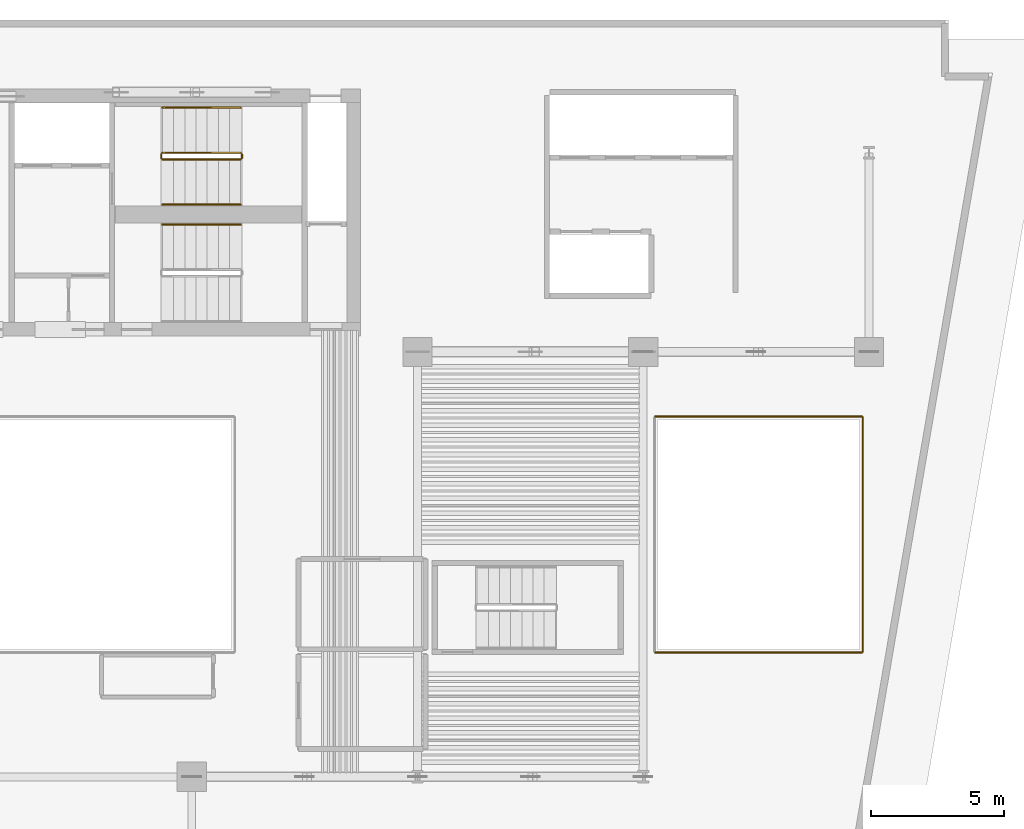
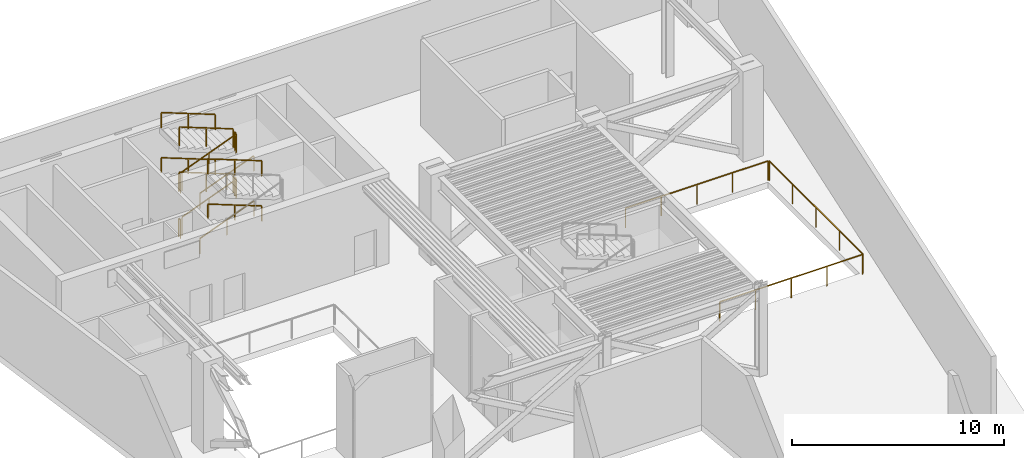
# One storey, part 8 of 8: 17 railings.
"""IFC4 building model written with IfcOpenShell, lengths in metres."""

from ifc_helpers import new_model, si_unit, direction, frame, origin, origin_2d, place, context, subcontext, project, spatial, rectangle, extrude, material, layer, layer_set, type_object, element, save


model = new_model("IFC4")

# Units and contexts
model_context = context("Model", 3, precision=1e-05, world=origin(), true_north=direction((0.0, 1.0)))
body_context = subcontext(model_context, "Body", "Model", "MODEL_VIEW")
ifc_project = project(units=[si_unit("LENGTHUNIT", "METRE"), si_unit("AREAUNIT", "SQUARE_METRE"), si_unit("VOLUMEUNIT", "CUBIC_METRE"), si_unit("PLANEANGLEUNIT", "RADIAN"), si_unit("MASSUNIT", "GRAM", prefix="KILO")], contexts=[model_context])

# Site, building, storey
site_placement = place(None, origin())
site = spatial("IfcSite", under=ifc_project, at=site_placement, CompositionType="ELEMENT")
building_placement = place(site_placement, origin())
building = spatial("IfcBuilding", under=site, at=building_placement, Name="Caeloran Harvest Quay", CompositionType="ELEMENT")
storey_placement = place(building_placement, frame((0.0, 0.0, 178.550048828125)))
storey = spatial("IfcBuildingStorey", under=building, at=storey_placement, Name="L42", CompositionType="ELEMENT", Elevation=178.550048828125)

# Railings
ifc_material_1 = material(Name="Powder-Coated Steel Post and Laminated Glass Guardrail", Category="steel")
ifc_layer_1 = layer(ifc_material_1, 0.06005859375, Name="Powder-Coated Steel Post and Laminated Glass Guardrail")
ifc_layer_set_1 = layer_set([ifc_layer_1], Name="Powder-Coated Steel Post and Laminated Glass Guardrail")
railing_type_1 = type_object("IfcRailingType", Name="GUARD-ATRIUM-1150", PredefinedType="GUARDRAIL", material=ifc_layer_set_1)
railing_1_placement = place(storey_placement, frame((34.4619140625, 19.679931640625, 0.0)))
element("IfcRailing", 1, at=railing_1_placement, inside=storey, type_object=railing_type_1, Name="L42 East Botanical Lightwell Guardrail Seg 1", PredefinedType="GUARDRAIL", context=body_context, shape_type="SweptSolid", body=[
    extrude(rectangle(XDim=0.048095703125, YDim=0.048095703125, at=origin_2d()), frame((0.0, 0.0, 1.1259765625), z_axis=(1.0, 0.0, 0.0), x_axis=(0.0, 1.0, 0.0)), (0.0, 0.0, 1.0), 7.776123046875),
    extrude(rectangle(XDim=0.0419921875, YDim=0.0419921875, at=origin_2d()), origin(), (0.0, 0.0, 1.0), 1.101806640625),
    extrude(rectangle(XDim=0.0419921875, YDim=0.0419921875, at=origin_2d()), frame((1.944091796875, 0.0, 0.0)), (0.0, 0.0, 1.0), 1.101806640625),
    extrude(rectangle(XDim=0.0419921875, YDim=0.0419921875, at=origin_2d()), frame((3.88818359375, 0.0, 0.0)), (0.0, 0.0, 1.0), 1.101806640625),
    extrude(rectangle(XDim=0.0419921875, YDim=0.0419921875, at=origin_2d()), frame((5.83203125, 0.0, 0.0)), (0.0, 0.0, 1.0), 1.101806640625),
    extrude(rectangle(XDim=0.0419921875, YDim=0.0419921875, at=origin_2d()), frame((7.776123046875, 0.0, 0.0)), (0.0, 0.0, 1.0), 1.101806640625),
])
railing_2_placement = place(storey_placement, frame((42.27001953125, 19.7119140625, 0.0)))
element("IfcRailing", 2, at=railing_2_placement, inside=storey, type_object=railing_type_1, Name="L42 East Botanical Lightwell Guardrail Seg 2", PredefinedType="GUARDRAIL", context=body_context, shape_type="SweptSolid", body=[
    extrude(rectangle(XDim=0.048095703125, YDim=0.048095703125, at=origin_2d()), frame((0.0, 0.0, 1.1259765625), z_axis=(0.0, 1.0, 0.0), x_axis=(-1.0, 0.0, 0.0)), (0.0, 0.0, 1.0), 8.826171875),
    extrude(rectangle(XDim=0.0419921875, YDim=0.0419921875, at=origin_2d()), origin(), (0.0, 0.0, 1.0), 1.101806640625),
    extrude(rectangle(XDim=0.0419921875, YDim=0.0419921875, at=origin_2d()), frame((0.0, 2.20654296875, 0.0)), (0.0, 0.0, 1.0), 1.101806640625),
    extrude(rectangle(XDim=0.0419921875, YDim=0.0419921875, at=origin_2d()), frame((0.0, 4.4130859375, 0.0)), (0.0, 0.0, 1.0), 1.101806640625),
    extrude(rectangle(XDim=0.0419921875, YDim=0.0419921875, at=origin_2d()), frame((0.0, 6.61962890625, 0.0)), (0.0, 0.0, 1.0), 1.101806640625),
    extrude(rectangle(XDim=0.0419921875, YDim=0.0419921875, at=origin_2d()), frame((0.0, 8.826171875, 0.0)), (0.0, 0.0, 1.0), 1.101806640625),
])
railing_3_placement = place(storey_placement, frame((42.238037109375, 28.570068359375, 0.0)))
element("IfcRailing", 3, at=railing_3_placement, inside=storey, type_object=railing_type_1, Name="L42 East Botanical Lightwell Guardrail Seg 3", PredefinedType="GUARDRAIL", context=body_context, shape_type="SweptSolid", body=[
    extrude(rectangle(XDim=0.048095703125, YDim=0.048095703125, at=origin_2d()), frame((0.0, 0.0, 1.1259765625), z_axis=(-1.0, 0.0, 0.0), x_axis=(0.0, -1.0, 0.0)), (0.0, 0.0, 1.0), 7.776123046875),
    extrude(rectangle(XDim=0.0419921875, YDim=0.0419921875, at=origin_2d()), origin(), (0.0, 0.0, 1.0), 1.101806640625),
    extrude(rectangle(XDim=0.0419921875, YDim=0.0419921875, at=origin_2d()), frame((-1.944091796875, 0.0, 0.0)), (0.0, 0.0, 1.0), 1.101806640625),
    extrude(rectangle(XDim=0.0419921875, YDim=0.0419921875, at=origin_2d()), frame((-3.88818359375, 0.0, 0.0)), (0.0, 0.0, 1.0), 1.101806640625),
    extrude(rectangle(XDim=0.0419921875, YDim=0.0419921875, at=origin_2d()), frame((-5.83203125, 0.0, 0.0)), (0.0, 0.0, 1.0), 1.101806640625),
    extrude(rectangle(XDim=0.0419921875, YDim=0.0419921875, at=origin_2d()), frame((-7.776123046875, 0.0, 0.0)), (0.0, 0.0, 1.0), 1.101806640625),
])
ifc_material_2 = material(Name="Painted Steel Baluster and Top-Rail Stair Guard", Category="steel")
ifc_layer_2 = layer(ifc_material_2, 0.050048828125, Name="Painted Steel Baluster and Top-Rail Stair Guard")
ifc_layer_set_2 = layer_set([ifc_layer_2], Name="Painted Steel Baluster and Top-Rail Stair Guard")
railing_type_2 = type_object("IfcRailingType", Name="STAIR-GUARD-1100", PredefinedType="GUARDRAIL", material=ifc_layer_set_2)
railing_4_placement = place(storey_placement, frame((15.89990234375, 38.25, 0.162353515625)))
element("IfcRailing", 4, at=railing_4_placement, inside=storey, type_object=railing_type_2, Name="L42 ST-C1 stair guard 1", PredefinedType="GUARDRAIL", context=body_context, shape_type="SweptSolid", body=[
    extrude(rectangle(XDim=0.048095703125, YDim=0.048095703125, at=origin_2d()), frame((0.0, 0.0, 1.076171875), z_axis=(0.932615185337, 0.0, 0.360872437405), x_axis=(0.0, 1.0, 0.0)), (0.0, 0.0, 1.0), 3.152587890625),
    extrude(rectangle(XDim=0.0419921875, YDim=0.0419921875, at=origin_2d()), origin(), (0.0, 0.0, 1.0), 1.052001953125),
    extrude(rectangle(XDim=0.0419921875, YDim=0.0419921875, at=origin_2d()), frame((1.47021484375, 0.0, 0.56884765625)), (0.0, 0.0, 1.0), 1.052001953125),
    extrude(rectangle(XDim=0.0419921875, YDim=0.0419921875, at=origin_2d()), frame((2.940185546875, 0.0, 1.1376953125)), (0.0, 0.0, 1.0), 1.052001953125),
])
railing_5_placement = place(storey_placement, frame((18.889892578125, 38.300048828125, 1.300048828125)))
element("IfcRailing", 5, at=railing_5_placement, inside=storey, type_object=railing_type_2, Name="L42 ST-C1 stair guard 2", PredefinedType="GUARDRAIL", context=body_context, shape_type="SweptSolid", body=[
    extrude(rectangle(XDim=0.048095703125, YDim=0.048095703125, at=origin_2d()), frame((0.0, 0.0, 1.076171875), z_axis=(0.0, 1.0, 0.0), x_axis=(-1.0, 0.0, 0.0)), (0.0, 0.0, 1.0), 0.14990234375),
    extrude(rectangle(XDim=0.0419921875, YDim=0.0419921875, at=origin_2d()), origin(), (0.0, 0.0, 1.0), 1.052001953125),
    extrude(rectangle(XDim=0.0419921875, YDim=0.0419921875, at=origin_2d()), frame((0.0, 0.14990234375, 0.0)), (0.0, 0.0, 1.0), 1.052001953125),
])
railing_6_placement = place(storey_placement, frame((18.840087890625, 38.5, 1.46240234375)))
element("IfcRailing", 6, at=railing_6_placement, inside=storey, type_object=railing_type_2, Name="L42 ST-C1 stair guard 3", PredefinedType="GUARDRAIL", context=body_context, shape_type="SweptSolid", body=[
    extrude(rectangle(XDim=0.048095703125, YDim=0.048095703125, at=origin_2d()), frame((0.0, 0.0, 1.076171875), z_axis=(-0.932641246608, 0.0, 0.360805079129), x_axis=(0.0, -1.0, 0.0)), (0.0, 0.0, 1.0), 3.152587890625),
    extrude(rectangle(XDim=0.0419921875, YDim=0.0419921875, at=origin_2d()), origin(), (0.0, 0.0, 1.0), 1.052001953125),
    extrude(rectangle(XDim=0.0419921875, YDim=0.0419921875, at=origin_2d()), frame((-1.47021484375, 0.0, 0.56884765625)), (0.0, 0.0, 1.0), 1.052001953125),
    extrude(rectangle(XDim=0.0419921875, YDim=0.0419921875, at=origin_2d()), frame((-2.940185546875, 0.0, 1.137451171875)), (0.0, 0.0, 1.0), 1.052001953125),
])
railing_7_placement = place(storey_placement, frame((15.85009765625, 38.300048828125, 2.599853515625)))
element("IfcRailing", 7, at=railing_7_placement, inside=storey, type_object=railing_type_2, Name="L42 ST-C1 stair guard 4", PredefinedType="GUARDRAIL", context=body_context, shape_type="SweptSolid", body=[
    extrude(rectangle(XDim=0.048095703125, YDim=0.048095703125, at=origin_2d()), frame((0.0, 0.0, 1.076171875), z_axis=(0.0, 1.0, 0.0), x_axis=(-1.0, 0.0, 0.0)), (0.0, 0.0, 1.0), 0.14990234375),
    extrude(rectangle(XDim=0.0419921875, YDim=0.0419921875, at=origin_2d()), origin(), (0.0, 0.0, 1.0), 1.052001953125),
    extrude(rectangle(XDim=0.0419921875, YDim=0.0419921875, at=origin_2d()), frame((0.0, 0.14990234375, 0.0)), (0.0, 0.0, 1.0), 1.052001953125),
])
railing_8_placement = place(storey_placement, frame((15.89990234375, 38.25, 2.762451171875)))
element("IfcRailing", 8, at=railing_8_placement, inside=storey, type_object=railing_type_2, Name="L42 ST-C1 stair guard 5", PredefinedType="GUARDRAIL", context=body_context, shape_type="SweptSolid", body=[
    extrude(rectangle(XDim=0.048095703125, YDim=0.048095703125, at=origin_2d()), frame((0.0, 0.0, 1.076171875), z_axis=(0.932641246608, 0.0, 0.360805079129), x_axis=(0.0, 1.0, 0.0)), (0.0, 0.0, 1.0), 3.152587890625),
    extrude(rectangle(XDim=0.0419921875, YDim=0.0419921875, at=origin_2d()), origin(), (0.0, 0.0, 1.0), 1.052001953125),
    extrude(rectangle(XDim=0.0419921875, YDim=0.0419921875, at=origin_2d()), frame((1.47021484375, 0.0, 0.56884765625)), (0.0, 0.0, 1.0), 1.052001953125),
    extrude(rectangle(XDim=0.0419921875, YDim=0.0419921875, at=origin_2d()), frame((2.940185546875, 0.0, 1.137451171875)), (0.0, 0.0, 1.0), 1.052001953125),
])
railing_9_placement = place(storey_placement, frame((18.889892578125, 38.300048828125, 3.89990234375)))
element("IfcRailing", 9, at=railing_9_placement, inside=storey, type_object=railing_type_2, Name="L42 ST-C1 stair guard 6", PredefinedType="GUARDRAIL", context=body_context, shape_type="SweptSolid", body=[
    extrude(rectangle(XDim=0.048095703125, YDim=0.048095703125, at=origin_2d()), frame((0.0, 0.0, 1.076171875), z_axis=(0.0, 1.0, 0.0), x_axis=(-1.0, 0.0, 0.0)), (0.0, 0.0, 1.0), 0.14990234375),
    extrude(rectangle(XDim=0.0419921875, YDim=0.0419921875, at=origin_2d()), origin(), (0.0, 0.0, 1.0), 1.052001953125),
    extrude(rectangle(XDim=0.0419921875, YDim=0.0419921875, at=origin_2d()), frame((0.0, 0.14990234375, 0.0)), (0.0, 0.0, 1.0), 1.052001953125),
])
railing_10_placement = place(storey_placement, frame((18.840087890625, 38.5, 4.0625)))
element("IfcRailing", 10, at=railing_10_placement, inside=storey, type_object=railing_type_2, Name="L42 ST-C1 stair guard 7", PredefinedType="GUARDRAIL", context=body_context, shape_type="SweptSolid", body=[
    extrude(rectangle(XDim=0.048095703125, YDim=0.048095703125, at=origin_2d()), frame((0.0, 0.0, 1.076171875), z_axis=(-0.932641246608, 0.0, 0.360805079129), x_axis=(0.0, -1.0, 0.0)), (0.0, 0.0, 1.0), 3.152587890625),
    extrude(rectangle(XDim=0.0419921875, YDim=0.0419921875, at=origin_2d()), origin(), (0.0, 0.0, 1.0), 1.052001953125),
    extrude(rectangle(XDim=0.0419921875, YDim=0.0419921875, at=origin_2d()), frame((-1.47021484375, 0.0, 0.56884765625)), (0.0, 0.0, 1.0), 1.052001953125),
    extrude(rectangle(XDim=0.0419921875, YDim=0.0419921875, at=origin_2d()), frame((-2.940185546875, 0.0, 1.137451171875)), (0.0, 0.0, 1.0), 1.052001953125),
])
railing_11_placement = place(storey_placement, frame((15.85009765625, 38.300048828125, 0.0)))
element("IfcRailing", 11, at=railing_11_placement, inside=storey, type_object=railing_type_2, Name="L42 ST-C1 stair guard 8", PredefinedType="GUARDRAIL", context=body_context, shape_type="SweptSolid", body=[
    extrude(rectangle(XDim=0.048095703125, YDim=0.048095703125, at=origin_2d()), frame((0.0, 0.0, 1.076171875), z_axis=(0.0, 1.0, 0.0), x_axis=(-1.0, 0.0, 0.0)), (0.0, 0.0, 1.0), 0.14990234375),
    extrude(rectangle(XDim=0.0419921875, YDim=0.0419921875, at=origin_2d()), origin(), (0.0, 0.0, 1.0), 1.052001953125),
    extrude(rectangle(XDim=0.0419921875, YDim=0.0419921875, at=origin_2d()), frame((0.0, 0.14990234375, 0.0)), (0.0, 0.0, 1.0), 1.052001953125),
])
ifc_material_3 = material(Name="Brushed Stainless Steel Grade 304", Category="steel")
ifc_layer_3 = layer(ifc_material_3, 0.050048828125, Name="Brushed Stainless Steel Grade 304")
ifc_layer_set_3 = layer_set([ifc_layer_3], Name="Brushed Stainless Steel Grade 304")
railing_type_3 = type_object("IfcRailingType", Name="STAIR-HANDRAIL-900", PredefinedType="HANDRAIL", material=ifc_layer_set_3)
railing_12_placement = place(storey_placement, frame((15.89990234375, 36.550048828125, 0.162353515625)))
element("IfcRailing", 12, at=railing_12_placement, inside=storey, type_object=railing_type_3, Name="L42 ST-C1 stair handrail 1", PredefinedType="HANDRAIL", context=body_context, shape_type="SweptSolid", body=[
    extrude(rectangle(XDim=0.048095703125, YDim=0.048095703125, at=origin_2d()), frame((0.0, 0.0, 0.8759765625), z_axis=(0.932615185337, 0.0, 0.360872437405), x_axis=(0.0, 1.0, 0.0)), (0.0, 0.0, 1.0), 3.152587890625),
    extrude(rectangle(XDim=0.0419921875, YDim=0.0419921875, at=origin_2d()), origin(), (0.0, 0.0, 1.0), 0.851806640625),
    extrude(rectangle(XDim=0.0419921875, YDim=0.0419921875, at=origin_2d()), frame((1.47021484375, 0.0, 0.56884765625)), (0.0, 0.0, 1.0), 0.851806640625),
    extrude(rectangle(XDim=0.0419921875, YDim=0.0419921875, at=origin_2d()), frame((2.940185546875, 0.0, 1.1376953125)), (0.0, 0.0, 1.0), 0.851806640625),
])
railing_13_placement = place(storey_placement, frame((18.840087890625, 40.199951171875, 1.46240234375)))
element("IfcRailing", 13, at=railing_13_placement, inside=storey, type_object=railing_type_3, Name="L42 ST-C1 stair handrail 2", PredefinedType="HANDRAIL", context=body_context, shape_type="SweptSolid", body=[
    extrude(rectangle(XDim=0.048095703125, YDim=0.048095703125, at=origin_2d()), frame((0.0, 0.0, 0.8759765625), z_axis=(-0.932641246608, 0.0, 0.360805079129), x_axis=(0.0, -1.0, 0.0)), (0.0, 0.0, 1.0), 3.152587890625),
    extrude(rectangle(XDim=0.0419921875, YDim=0.0419921875, at=origin_2d()), origin(), (0.0, 0.0, 1.0), 0.851806640625),
    extrude(rectangle(XDim=0.0419921875, YDim=0.0419921875, at=origin_2d()), frame((-1.47021484375, 0.0, 0.56884765625)), (0.0, 0.0, 1.0), 0.851806640625),
    extrude(rectangle(XDim=0.0419921875, YDim=0.0419921875, at=origin_2d()), frame((-2.940185546875, 0.0, 1.137451171875)), (0.0, 0.0, 1.0), 0.851806640625),
])
railing_14_placement = place(storey_placement, frame((15.89990234375, 36.550048828125, 2.762451171875)))
element("IfcRailing", 14, at=railing_14_placement, inside=storey, type_object=railing_type_3, Name="L42 ST-C1 stair handrail 3", PredefinedType="HANDRAIL", context=body_context, shape_type="SweptSolid", body=[
    extrude(rectangle(XDim=0.048095703125, YDim=0.048095703125, at=origin_2d()), frame((0.0, 0.0, 0.8759765625), z_axis=(0.932641246608, 0.0, 0.360805079129), x_axis=(0.0, 1.0, 0.0)), (0.0, 0.0, 1.0), 3.152587890625),
    extrude(rectangle(XDim=0.0419921875, YDim=0.0419921875, at=origin_2d()), origin(), (0.0, 0.0, 1.0), 0.851806640625),
    extrude(rectangle(XDim=0.0419921875, YDim=0.0419921875, at=origin_2d()), frame((1.47021484375, 0.0, 0.56884765625)), (0.0, 0.0, 1.0), 0.851806640625),
    extrude(rectangle(XDim=0.0419921875, YDim=0.0419921875, at=origin_2d()), frame((2.940185546875, 0.0, 1.137451171875)), (0.0, 0.0, 1.0), 0.851806640625),
])
for number, where, name in (
    (15, (18.840087890625, 40.199951171875, 4.0625), "L42 ST-C1 stair handrail 4"),
    (16, (18.840087890625, 35.800048828125, 1.46240234375), "L42 ST-C2 stair handrail 2"),
    (17, (18.840087890625, 35.800048828125, 4.0625), "L42 ST-C2 stair handrail 4"),
):
    element("IfcRailing", number, at=place(storey_placement, frame(where)), inside=storey, type_object=railing_type_3, Name=name, PredefinedType="HANDRAIL", context=body_context, shape_type="SweptSolid", body=[
        extrude(rectangle(XDim=0.048095703125, YDim=0.048095703125, at=origin_2d()), frame((0.0, 0.0, 0.8759765625), z_axis=(-0.932641246608, 0.0, 0.360805079129), x_axis=(0.0, -1.0, 0.0)), (0.0, 0.0, 1.0), 3.152587890625),
        extrude(rectangle(XDim=0.0419921875, YDim=0.0419921875, at=origin_2d()), origin(), (0.0, 0.0, 1.0), 0.851806640625),
        extrude(rectangle(XDim=0.0419921875, YDim=0.0419921875, at=origin_2d()), frame((-1.47021484375, 0.0, 0.56884765625)), (0.0, 0.0, 1.0), 0.851806640625),
        extrude(rectangle(XDim=0.0419921875, YDim=0.0419921875, at=origin_2d()), frame((-2.940185546875, 0.0, 1.137451171875)), (0.0, 0.0, 1.0), 0.851806640625),
    ])

save(model, "model.ifc")
